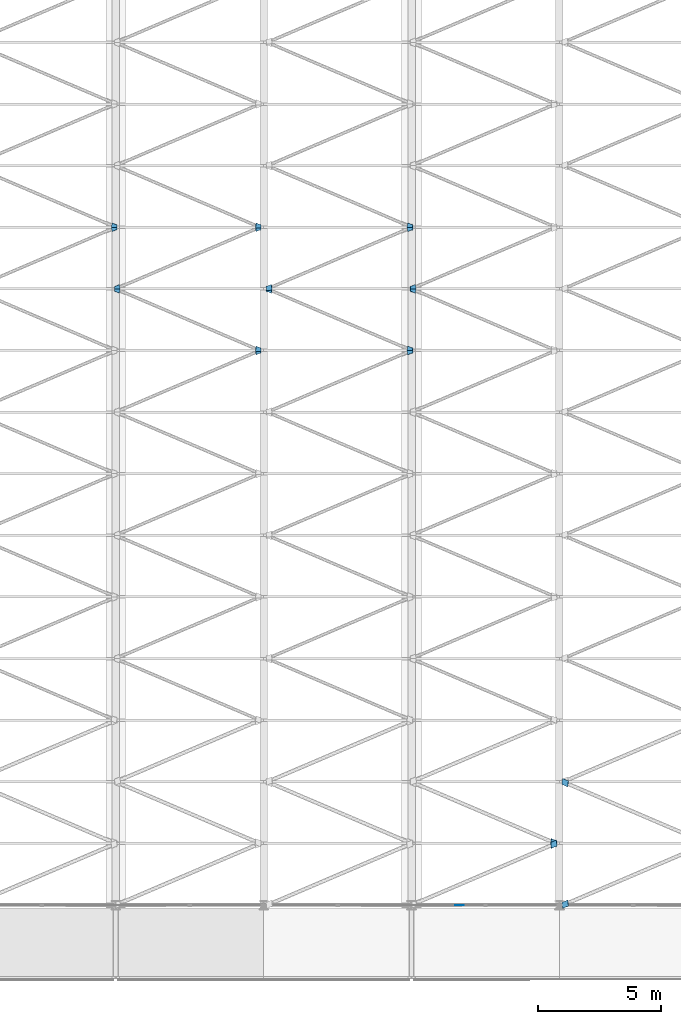
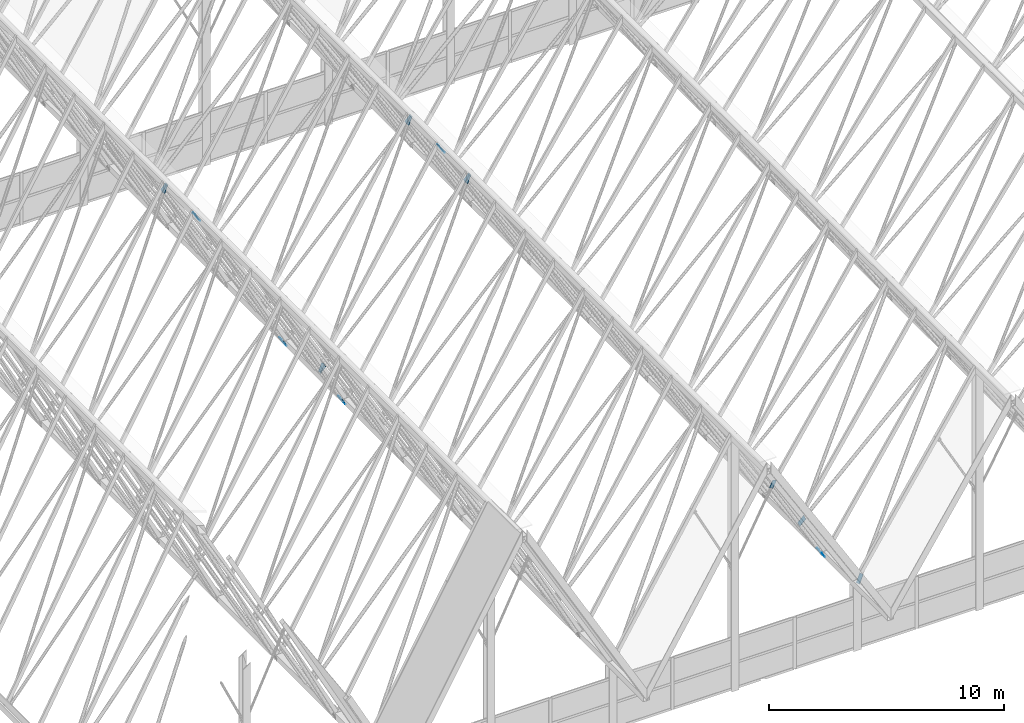
# One storey, part 416 of 483: 21 discrete accessories.
"""IFC4 building model written with IfcOpenShell, lengths in metres."""

import ifcopenshell
import ifcopenshell.guid

model = None  # the IFC model being written
_history = None  # IfcOwnerHistory: only IFC2X3 demands one
_inside = {}  # id of a spatial element -> (the spatial element, [elements in it])
_under = {}  # id of a project, library or spatial element -> (it, [spatial elements below it])
_declared = {}  # id of a project -> (the project, [libraries it declares])
_typed = {}  # id of a type object -> (the type object, [elements of that type])
_made_of = {}  # id of a material, layer set ... -> (it, [elements and type objects made of it])


def new_model(schema):
    """Start an empty IFC model of exactly this schema.

    Asked for "IFC4X3", IfcOpenShell would pick the latest addendum, in which some entities
    have other attributes; the version numbers below select the first issue.
    IFC2X3 requires an IfcOwnerHistory on every rooted entity: one is made here for all.
    """
    global model, _history
    if schema == "IFC4X3":
        model = ifcopenshell.file(schema_version=(4, 3, 0, 0))
    else:
        model = ifcopenshell.file(schema=schema)
    _inside.clear()
    _under.clear()
    _declared.clear()
    _typed.clear()
    _made_of.clear()
    _history = None
    if model.schema == "IFC2X3":
        org = make("IfcOrganization", Name="unknown")
        user = make(
            "IfcPersonAndOrganization",
            ThePerson=make("IfcPerson", FamilyName="unknown"),
            TheOrganization=org,
        )
        app = make(
            "IfcApplication",
            ApplicationDeveloper=org,
            Version="unknown",
            ApplicationFullName="unknown",
            ApplicationIdentifier="unknown",
        )
        _history = make(
            "IfcOwnerHistory",
            OwningUser=user,
            OwningApplication=app,
            ChangeAction="ADDED",
            CreationDate=0,
        )
    return model


def make(cls, **values):
    """One entity of the class cls with the attributes given. An attribute that is None is left unset."""
    return model.create_entity(
        cls, **{name: value for name, value in values.items() if value is not None}
    )


def rooted(cls, **values):
    """An entity with a GlobalId (a new one), such as an element, a storey or a relation."""
    return make(cls, GlobalId=ifcopenshell.guid.new(), OwnerHistory=_history, **values)


def si_unit(unit_type, name, prefix=None):
    """IfcSIUnit, for example si_unit("LENGTHUNIT", "METRE", prefix="MILLI")."""
    return make("IfcSIUnit", UnitType=unit_type, Prefix=prefix, Name=name)


def assignment(units):
    """IfcUnitAssignment: the units of a project."""
    return None if units is None else make("IfcUnitAssignment", Units=units)


def point(xyz):
    """IfcCartesianPoint."""
    return None if xyz is None else make("IfcCartesianPoint", Coordinates=xyz)


def direction(xyz):
    """IfcDirection."""
    return None if xyz is None else make("IfcDirection", DirectionRatios=xyz)


def frame(location, z_axis=None, x_axis=None):
    """IfcAxis2Placement3D, a coordinate frame: its origin and axes. An axis left out is left unset."""
    return make(
        "IfcAxis2Placement3D",
        Location=point(location),
        Axis=direction(z_axis),
        RefDirection=direction(x_axis),
    )


def origin():
    """The frame at (0, 0, 0) with its axes left unset."""
    return frame((0.0, 0.0, 0.0))


def place(relative_to, where):
    """IfcLocalPlacement: puts the frame where relative to a parent placement (None: the world)."""
    return make(
        "IfcLocalPlacement", PlacementRelTo=relative_to, RelativePlacement=where
    )


def context(
    kind, dimensions, precision=None, world=None, true_north=None, identifier=None
):
    """IfcGeometricRepresentationContext, for example the 3D "Model" context."""
    return make(
        "IfcGeometricRepresentationContext",
        ContextIdentifier=identifier,
        ContextType=kind,
        CoordinateSpaceDimension=dimensions,
        Precision=precision,
        WorldCoordinateSystem=world,
        TrueNorth=true_north,
    )


def subcontext(parent, identifier, kind, view, scale=None):
    """IfcGeometricRepresentationSubContext, for example "Body" below "Model"."""
    return make(
        "IfcGeometricRepresentationSubContext",
        ContextIdentifier=identifier,
        ContextType=kind,
        ParentContext=parent,
        TargetScale=scale,
        TargetView=view,
    )


def project(units=None, contexts=None):
    """IfcProject with its units and contexts."""
    return rooted(
        "IfcProject",
        Name="project",
        RepresentationContexts=contexts,
        UnitsInContext=assignment(units),
    )


def spatial(cls, under=None, at=None, **own):
    """A site, building, storey or space (cls), placed at a placement, below another one or the project."""
    s = rooted(cls, ObjectPlacement=at, **own)
    if under is not None:
        _under.setdefault(under.id(), (under, []))[1].append(s)
    return s


def polyline(points):
    """IfcPolyline through the points."""
    return make("IfcPolyline", Points=[point(p) for p in points])


def outline(outer, holes=None, kind="AREA"):
    """IfcArbitraryClosedProfileDef: a profile drawn as a closed curve; with holes, ...WithVoids."""
    if holes is None:
        return make("IfcArbitraryClosedProfileDef", ProfileType=kind, OuterCurve=outer)
    return make(
        "IfcArbitraryProfileDefWithVoids",
        ProfileType=kind,
        OuterCurve=outer,
        InnerCurves=holes,
    )


def extrude(swept, where, along, depth):
    """IfcExtrudedAreaSolid: the profile swept, set in the frame where, extruded along a direction by depth."""
    return make(
        "IfcExtrudedAreaSolid",
        SweptArea=swept,
        Position=where,
        ExtrudedDirection=direction(along),
        Depth=depth,
    )


def shape(context_of_items, identifier, shape_type, items):
    """IfcShapeRepresentation: the items that make up one representation, for example the "Body"."""
    return make(
        "IfcShapeRepresentation",
        ContextOfItems=context_of_items,
        RepresentationIdentifier=identifier,
        RepresentationType=shape_type,
        Items=items,
    )


def material(Name=None, Category=None):
    """IfcMaterial."""
    return make("IfcMaterial", Name=Name, Category=Category)


def layer(
    of_material, thickness, ventilated=None, Name=None, Category=None, Priority=None
):
    """IfcMaterialLayer: one layer of a wall or slab, of a material (None: an air gap)."""
    return make(
        "IfcMaterialLayer",
        Material=of_material,
        LayerThickness=thickness,
        IsVentilated=ventilated,
        Name=Name,
        Category=Category,
        Priority=Priority,
    )


def layer_set(layers, Name=None):
    """IfcMaterialLayerSet."""
    return make("IfcMaterialLayerSet", MaterialLayers=layers, LayerSetName=Name)


def made_of(thing, what):
    """Note that an element or type object is made of a material, layer set ...; save() writes the relation."""
    if what is not None:
        _made_of.setdefault(what.id(), (what, []))[1].append(thing)
    return thing


def type_object(cls, material=None, **own):
    """A type object (cls), such as IfcWallType, which elements share."""
    return made_of(rooted(cls, **own), material)


def element(
    cls,
    number,
    at=None,
    inside=None,
    cuts=None,
    type_object=None,
    material=None,
    context=None,
    identifier="Body",
    shape_type=None,
    held_by="IfcProductDefinitionShape",
    body=None,
    shapes=None,
    **own,
):
    """One element of the class cls, such as IfcWall. Its Tag is "e" and its number.

    at: its placement. inside: the storey or other place that contains it. cuts: it is an
    opening in that element (IfcRelVoidsElement). A single representation is given by context,
    identifier, shape_type and body (its items); several are given by shapes. held_by: the class
    of the entity that holds the representations. save() writes the other relations.
    """
    e = rooted(cls, Tag="e%d" % number, ObjectPlacement=at, **own)
    if body is not None:
        shapes = [shape(context, identifier, shape_type, body)]
    if shapes is not None:
        e.Representation = make(held_by, Representations=shapes)
    if inside is not None:
        _inside.setdefault(inside.id(), (inside, []))[1].append(e)
    if cuts is not None:
        rooted(
            "IfcRelVoidsElement", RelatingBuildingElement=cuts, RelatedOpeningElement=e
        )
    if type_object is not None:
        _typed.setdefault(type_object.id(), (type_object, []))[1].append(e)
    return made_of(e, material)


def aggregate(whole, parts):
    """IfcRelAggregates: a whole, such as a stair, and the parts it consists of."""
    return rooted("IfcRelAggregates", RelatingObject=whole, RelatedObjects=parts)


def save(model, path):
    """Write the relations noted so far, then the file.

    IfcRelAggregates (storeys below a building ...), IfcRelContainedInSpatialStructure (elements
    in a storey), IfcRelDefinesByType, IfcRelAssociatesMaterial and IfcRelDeclares: one each for
    every whole, place, type object, material and project.
    """
    for whole, parts in _under.values():
        aggregate(whole, parts)
    for where, things in _inside.values():
        rooted(
            "IfcRelContainedInSpatialStructure",
            RelatedElements=things,
            RelatingStructure=where,
        )
    for kind, things in _typed.values():
        rooted("IfcRelDefinesByType", RelatedObjects=things, RelatingType=kind)
    for what, things in _made_of.values():
        rooted("IfcRelAssociatesMaterial", RelatedObjects=things, RelatingMaterial=what)
    for by, libraries in _declared.values():
        rooted("IfcRelDeclares", RelatingContext=by, RelatedDefinitions=libraries)
    model.write(path)


model = new_model("IFC4")

# Units and contexts
model_context = context("Model", 3, precision=1e-05, world=origin(), true_north=direction((0.0, 1.0)))
body_context = subcontext(model_context, "Body", "Model", "MODEL_VIEW")
ifc_project = project(units=[si_unit("LENGTHUNIT", "METRE"), si_unit("AREAUNIT", "SQUARE_METRE"), si_unit("VOLUMEUNIT", "CUBIC_METRE"), si_unit("PLANEANGLEUNIT", "RADIAN"), si_unit("MASSUNIT", "GRAM", prefix="KILO")], contexts=[model_context])

# Site, building, storey
site_placement = place(None, origin())
site = spatial("IfcSite", under=ifc_project, at=site_placement, CompositionType="ELEMENT")
building_placement = place(site_placement, origin())
building = spatial("IfcBuilding", under=site, at=building_placement, Name="Parallax Yard Mobility Hub", CompositionType="ELEMENT")
storey_placement = place(building_placement, frame((0.0, 0.0, 13.199951171875)))
storey = spatial("IfcBuildingStorey", under=building, at=storey_placement, Name="L04", CompositionType="ELEMENT", Elevation=13.199951171875)

# Discrete accessories
ifc_material = material(Name="Steel ASTM A36", Category="steel")
ifc_layer = layer(ifc_material, 0.011962890625)
ifc_layer_set = layer_set([ifc_layer], Name="Gusset plate PL12")
discrete_accessory_type = type_object("IfcDiscreteAccessoryType", Name="Gusset plate PL12", PredefinedType="BRACKET", material=ifc_layer_set)
discrete_accessory_1_placement = place(storey_placement, frame((44.674560546875, 9.798828125, 3.697265625), z_axis=(0.85415450539, -0.000224511175, 0.520019259756), x_axis=(0.50764739029, 0.217192880489, -0.833739395613)))
element("IfcDiscreteAccessory", 1, at=discrete_accessory_1_placement, inside=storey, type_object=discrete_accessory_type, Name="Gusset plate PL12 at end 2 of Plate diagonal plate F6-F7 bay 1", PredefinedType="BRACKET", context=body_context, shape_type="SweptSolid", body=[
    extrude(outline(polyline([(0.0, 0.0), (0.4485049026230614, 1.3877787807814457e-17), (0.4485595857436242, 0.24834820057078677), (0.00013429542654988524, 0.24833040932254563), (0.0, 0.0)])), origin(), (0.0, 0.0, -1.0), 0.011962890625),
])
discrete_accessory_2_placement = place(storey_placement, frame((45.333251953125, 7.704833984375, 3.688720703125), z_axis=(-0.837033767538, 0.000540959891, 0.547150965788), x_axis=(-0.532899279846, -0.227558272034, -0.815006497133)))
element("IfcDiscreteAccessory", 2, at=discrete_accessory_2_placement, inside=storey, type_object=discrete_accessory_type, Name="Gusset plate PL12 at end 1 of Plate diagonal plate F7-F8 bay 1", PredefinedType="BRACKET", context=body_context, shape_type="SweptSolid", body=[
    extrude(outline(polyline([(0.0, 0.0), (0.44846007785329556, 2.7755575615628914e-17), (0.4481929323709216, 0.24852433776180394), (6.193307645872143e-05, 0.2484474749499382), (0.0, 0.0)])), origin(), (0.0, 0.0, -1.0), 0.011962890625),
])
discrete_accessory_3_placement = place(storey_placement, frame((44.646484375, 9.958740234375, 3.7431640625), z_axis=(0.85415450539, 0.000224511175, 0.520019259756), x_axis=(0.507642916251, -0.217231608169, -0.833732030087)))
element("IfcDiscreteAccessory", 3, at=discrete_accessory_3_placement, inside=storey, type_object=discrete_accessory_type, Name="Gusset plate PL12 at end 1 of Plate diagonal plate F6-F7 bay 2", PredefinedType="BRACKET", context=body_context, shape_type="SweptSolid", body=[
    extrude(outline(polyline([(0.0, 0.0), (0.4484252906700077, 0.0), (0.4483607543485679, 0.24834819820577445), (-0.00014414792149744504, 0.24833040379893354), (0.0, 0.0)])), origin(), (0.0, 0.0, -1.0), 0.011962890625),
])
discrete_accessory_4_placement = place(storey_placement, frame((45.364013671875, 12.537109375, 3.736083984375), z_axis=(-0.837033767538, -0.000540959891, 0.547150965788), x_axis=(-0.532877992062, 0.227725287398, -0.814973765869)))
element("IfcDiscreteAccessory", 4, at=discrete_accessory_4_placement, inside=storey, type_object=discrete_accessory_type, Name="Gusset plate PL12 at end 2 of Plate diagonal plate F7-F8 bay 2", PredefinedType="BRACKET", context=body_context, shape_type="SweptSolid", body=[
    extrude(outline(polyline([(0.0, 0.0), (0.4481310058861647, 0.0), (0.44835552481307284, 0.2485243799266048), (-0.00010454644368060317, 0.24844746067276932), (0.0, 0.0)])), origin(), (0.0, 0.0, -1.0), 0.011962890625),
])
discrete_accessory_5_placement = place(storey_placement, frame((32.6943359375, 29.822265625, 3.6826171875), z_axis=(0.868696794053, 0.000898687081, 0.495343388332), x_axis=(0.484443740172, 0.207090539659, -0.849957511286)))
element("IfcDiscreteAccessory", 5, at=discrete_accessory_5_placement, inside=storey, type_object=discrete_accessory_type, Name="Gusset plate PL12 at end 2 of Plate diagonal plate F4-F5 bay 9", PredefinedType="BRACKET", context=body_context, shape_type="SweptSolid", body=[
    extrude(outline(polyline([(0.0, 0.0), (0.41969086710719833, 1.3877787807814457e-17), (0.4197746678267241, 0.21958679105347548), (-0.00012370843850314367, 0.21963060539052376), (0.0, 0.0)])), origin(), (0.0, 0.0, -1.0), 0.011962890625),
])
discrete_accessory_6_placement = place(storey_placement, frame((38.83984375, 29.819091796875, 12.752197265625), z_axis=(-0.854016692741, 0.000119683392, 0.52024559027), x_axis=(0.50787179366, 0.216994477704, 0.833654387532)))
element("IfcDiscreteAccessory", 6, at=discrete_accessory_6_placement, inside=storey, type_object=discrete_accessory_type, Name="Gusset plate PL12 at end 2 of Plate diagonal plate F5-F6 bay 9", PredefinedType="BRACKET", context=body_context, shape_type="SweptSolid", body=[
    extrude(outline(polyline([(0.0, 0.0), (0.41966253744663834, 1.3877787807814457e-17), (0.41986748664923856, 0.21954206328546938), (0.00020494920260025196, 0.21954206328546932), (0.0, 0.0)])), origin(), (0.0, 0.0, -1.0), 0.011962890625),
])
discrete_accessory_7_placement = place(storey_placement, frame((32.671630859375, 29.962890625, 3.72216796875), z_axis=(0.868696794053, -0.000898687081, 0.495343388332), x_axis=(0.484454521055, -0.206988455494, -0.849976232798)))
element("IfcDiscreteAccessory", 7, at=discrete_accessory_7_placement, inside=storey, type_object=discrete_accessory_type, Name="Gusset plate PL12 at end 1 of Plate diagonal plate F4-F5 bay 10", PredefinedType="BRACKET", context=body_context, shape_type="SweptSolid", body=[
    extrude(outline(polyline([(0.0, 0.0), (0.4198983785511328, 1.3877787807814457e-17), (0.41983749063708, 0.21958679860225017), (0.00014662581465764435, 0.21963059128649676), (0.0, 0.0)])), origin(), (0.0, 0.0, -1.0), 0.011962890625),
])
discrete_accessory_8_placement = place(storey_placement, frame((27.17578125, 32.537109375, 13.36328125), z_axis=(0.868754580943, 0.000345341315, 0.495242727185), x_axis=(-0.484568892137, 0.207090666988, 0.84988613615)))
element("IfcDiscreteAccessory", 8, at=discrete_accessory_8_placement, inside=storey, type_object=discrete_accessory_type, Name="Gusset plate PL12 at end 2 of Plate diagonal plate F4-F5 bay 10", PredefinedType="BRACKET", context=body_context, shape_type="SweptSolid", body=[
    extrude(outline(polyline([(0.0, 0.0), (0.4196908714630526, 0.0), (0.4196962682363814, 0.21960554386399633), (5.3967733288293185e-06, 0.2196055438639963), (0.0, 0.0)])), origin(), (0.0, 0.0, -1.0), 0.011962890625),
])
discrete_accessory_9_placement = place(storey_placement, frame((38.815185546875, 29.966552734375, 12.711669921875), z_axis=(-0.854016692741, -0.000119683392, 0.52024559027), x_axis=(0.50787179366, -0.216994477704, 0.833654387532)))
element("IfcDiscreteAccessory", 9, at=discrete_accessory_9_placement, inside=storey, type_object=discrete_accessory_type, Name="Gusset plate PL12 at end 1 of Plate diagonal plate F5-F6 bay 10", PredefinedType="BRACKET", context=body_context, shape_type="SweptSolid", body=[
    extrude(outline(polyline([(0.0, 0.0), (0.41966253744663834, -1.3877787807814457e-17), (0.4194575882440381, 0.21954206328546932), (-0.00020494920260025196, 0.21954206328546932), (0.0, 0.0)])), origin(), (0.0, 0.0, -1.0), 0.011962890625),
])
discrete_accessory_10_placement = place(storey_placement, frame((33.33740234375, 32.533447265625, 3.716552734375), z_axis=(-0.854018875597, 0.000557720542, 0.520241721771), x_axis=(-0.507742563773, 0.21699439579, -0.833733123445)))
element("IfcDiscreteAccessory", 10, at=discrete_accessory_10_placement, inside=storey, type_object=discrete_accessory_type, Name="Gusset plate PL12 at end 2 of Plate diagonal plate F5-F6 bay 10", PredefinedType="BRACKET", context=body_context, shape_type="SweptSolid", body=[
    extrude(outline(polyline([(0.0, 0.0), (0.41966253264156217, 0.0), (0.41978511409084773, 0.219614864219578), (-8.096667655547313e-05, 0.21956968987108047), (0.0, 0.0)])), origin(), (0.0, 0.0, -1.0), 0.011962890625),
])
discrete_accessory_11_placement = place(storey_placement, frame((39.184814453125, 32.533447265625, 12.711669921875), z_axis=(0.854016692741, 0.000119683392, 0.52024559027), x_axis=(-0.50787179366, 0.216994477704, 0.833654387532)))
element("IfcDiscreteAccessory", 11, at=discrete_accessory_11_placement, inside=storey, type_object=discrete_accessory_type, Name="Gusset plate PL12 at end 2 of Plate diagonal plate F6-F7 bay 10", PredefinedType="BRACKET", context=body_context, shape_type="SweptSolid", body=[
    extrude(outline(polyline([(0.0, 0.0), (0.41966253744663834, -1.3877787807814457e-17), (0.4194575882440381, 0.21954206328546932), (-0.00020494920260025196, 0.21954206328546932), (0.0, 0.0)])), origin(), (0.0, 0.0, -1.0), 0.011962890625),
])
discrete_accessory_12_placement = place(storey_placement, frame((27.1533203125, 32.677734375, 13.40283203125), z_axis=(0.868754580943, -0.000345341315, 0.495242727185), x_axis=(-0.484568892137, -0.207090666988, 0.84988613615)))
element("IfcDiscreteAccessory", 12, at=discrete_accessory_12_placement, inside=storey, type_object=discrete_accessory_type, Name="Gusset plate PL12 at end 1 of Plate diagonal plate F4-F5 bay 11", PredefinedType="BRACKET", context=body_context, shape_type="SweptSolid", body=[
    extrude(outline(polyline([(0.0, 0.0), (0.4196908714630526, 0.0), (0.4196854746897237, 0.2196055438639963), (-5.3967733288293185e-06, 0.2196055438639963), (0.0, 0.0)])), origin(), (0.0, 0.0, -1.0), 0.011962890625),
])
discrete_accessory_13_placement = place(storey_placement, frame((32.6943359375, 34.822265625, 3.6826171875), z_axis=(0.868696794053, 0.000898687081, 0.495343388332), x_axis=(0.484443740172, 0.207090539659, -0.849957511286)))
element("IfcDiscreteAccessory", 13, at=discrete_accessory_13_placement, inside=storey, type_object=discrete_accessory_type, Name="Gusset plate PL12 at end 2 of Plate diagonal plate F4-F5 bay 11", PredefinedType="BRACKET", context=body_context, shape_type="SweptSolid", body=[
    extrude(outline(polyline([(0.0, 0.0), (0.41969086710719833, 1.3877787807814457e-17), (0.4197746678267241, 0.21958679105347548), (-0.00012370843850314367, 0.21963060539052376), (0.0, 0.0)])), origin(), (0.0, 0.0, -1.0), 0.011962890625),
])
discrete_accessory_14_placement = place(storey_placement, frame((33.3125, 32.680908203125, 3.676025390625), z_axis=(-0.854018875597, -0.000557720542, 0.520241721771), x_axis=(-0.507754756906, -0.21688936589, -0.833753026863)))
element("IfcDiscreteAccessory", 14, at=discrete_accessory_14_placement, inside=storey, type_object=discrete_accessory_type, Name="Gusset plate PL12 at end 1 of Plate diagonal plate F5-F6 bay 11", PredefinedType="BRACKET", context=body_context, shape_type="SweptSolid", body=[
    extrude(outline(polyline([(0.0, 0.0), (0.41986608319760876, -1.3877787807814457e-17), (0.41971987288542956, 0.219614849759619), (5.7342672894721e-05, 0.21956969731158954), (0.0, 0.0)])), origin(), (0.0, 0.0, -1.0), 0.011962890625),
])
for number, where, z_axis, x_axis, name in (
    (15, (38.83984375, 34.819091796875, 12.752197265625), (-0.854016692741, 0.000119683392, 0.52024559027), (0.50787179366, 0.216994477704, 0.833654387532), "Gusset plate PL12 at end 2 of Plate diagonal plate F5-F6 bay 11"),
    (16, (39.16015625, 32.680908203125, 12.752197265625), (0.854016692741, -0.000119683392, 0.52024559027), (-0.50787179366, -0.216994477704, 0.833654387532), "Gusset plate PL12 at end 1 of Plate diagonal plate F6-F7 bay 11"),
):
    element("IfcDiscreteAccessory", number, at=place(storey_placement, frame(where, z_axis=z_axis, x_axis=x_axis)), inside=storey, type_object=discrete_accessory_type, Name=name, PredefinedType="BRACKET", context=body_context, shape_type="SweptSolid", body=[
        extrude(outline(polyline([(0.0, 0.0), (0.41966253744663834, 1.3877787807814457e-17), (0.41986748664923856, 0.21954206328546938), (0.00020494920260025196, 0.21954206328546932), (0.0, 0.0)])), origin(), (0.0, 0.0, -1.0), 0.011962890625),
    ])
discrete_accessory_15_placement = place(storey_placement, frame((26.8466796875, 34.822265625, 13.40283203125), z_axis=(-0.868754580943, 0.000345341315, 0.495242727185), x_axis=(0.484568892137, 0.207090666988, 0.84988613615)))
element("IfcDiscreteAccessory", 17, at=discrete_accessory_15_placement, inside=storey, type_object=discrete_accessory_type, Name="Gusset plate PL12 at end 2 of Plate diagonal plate F3-F4 bay 11", PredefinedType="BRACKET", context=body_context, shape_type="SweptSolid", body=[
    extrude(outline(polyline([(0.0, 0.0), (0.4196908714630526, 0.0), (0.4196854746897237, 0.2196055438639963), (-5.3967733288293185e-06, 0.2196055438639963), (0.0, 0.0)])), origin(), (0.0, 0.0, -1.0), 0.011962890625),
])
discrete_accessory_16_placement = place(storey_placement, frame((32.671630859375, 34.962890625, 3.72216796875), z_axis=(0.868696794053, -0.000898687081, 0.495343388332), x_axis=(0.484454521055, -0.206988455494, -0.849976232798)))
element("IfcDiscreteAccessory", 18, at=discrete_accessory_16_placement, inside=storey, type_object=discrete_accessory_type, Name="Gusset plate PL12 at end 1 of Plate diagonal plate F4-F5 bay 12", PredefinedType="BRACKET", context=body_context, shape_type="SweptSolid", body=[
    extrude(outline(polyline([(0.0, 0.0), (0.4198983785511328, 1.3877787807814457e-17), (0.41983749063708, 0.21958679860225017), (0.00014662581465764435, 0.21963059128649676), (0.0, 0.0)])), origin(), (0.0, 0.0, -1.0), 0.011962890625),
])
discrete_accessory_17_placement = place(storey_placement, frame((38.815185546875, 34.966552734375, 12.711669921875), z_axis=(-0.854016692741, -0.000119683392, 0.52024559027), x_axis=(0.50787179366, -0.216994477704, 0.833654387532)))
element("IfcDiscreteAccessory", 19, at=discrete_accessory_17_placement, inside=storey, type_object=discrete_accessory_type, Name="Gusset plate PL12 at end 1 of Plate diagonal plate F5-F6 bay 12", PredefinedType="BRACKET", context=body_context, shape_type="SweptSolid", body=[
    extrude(outline(polyline([(0.0, 0.0), (0.41966253744663834, -1.3877787807814457e-17), (0.4194575882440381, 0.21954206328546932), (-0.00020494920260025196, 0.21954206328546932), (0.0, 0.0)])), origin(), (0.0, 0.0, -1.0), 0.011962890625),
])
discrete_accessory_18_placement = place(storey_placement, frame((26.82421875, 34.962890625, 13.36328125), z_axis=(-0.868754580943, -0.000345341315, 0.495242727185), x_axis=(0.484568892137, -0.207090666988, 0.84988613615)))
element("IfcDiscreteAccessory", 20, at=discrete_accessory_18_placement, inside=storey, type_object=discrete_accessory_type, Name="Gusset plate PL12 at end 1 of Plate diagonal plate F3-F4 bay 12", PredefinedType="BRACKET", context=body_context, shape_type="SweptSolid", body=[
    extrude(outline(polyline([(0.0, 0.0), (0.4196908714630526, 0.0), (0.4196962682363814, 0.21960554386399633), (5.3967733288293185e-06, 0.2196055438639963), (0.0, 0.0)])), origin(), (0.0, 0.0, -1.0), 0.011962890625),
])
discrete_accessory_19_placement = place(storey_placement, frame((40.769287109375, 7.5, 9.826171875), z_axis=(0.0, 1.0, 0.0), x_axis=(0.459557706456, 0.0, 0.888147912477)))
element("IfcDiscreteAccessory", 21, at=discrete_accessory_19_placement, inside=storey, type_object=discrete_accessory_type, Name="Gusset plate PL12 at end 2 of Gable knee brace F6 south east", PredefinedType="BRACKET", context=body_context, shape_type="SweptSolid", body=[
    extrude(outline(polyline([(0.0, 0.0), (0.3941884581743374, 0.0), (0.39415065604978294, 0.19436491569433473), (-0.00014999883023220084, 0.1941480827078902), (0.0, 0.0)])), origin(), (0.0, 0.0, -1.0), 0.011962890625),
])

save(model, "model.ifc")
